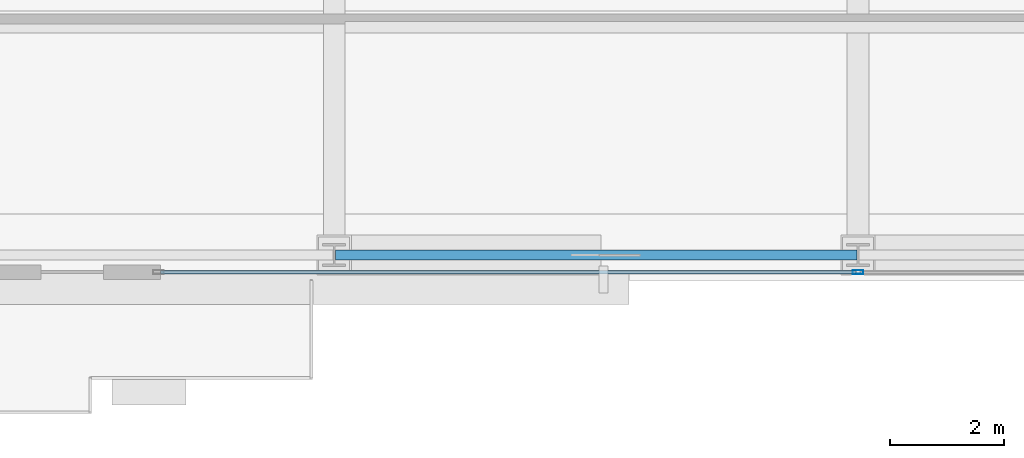
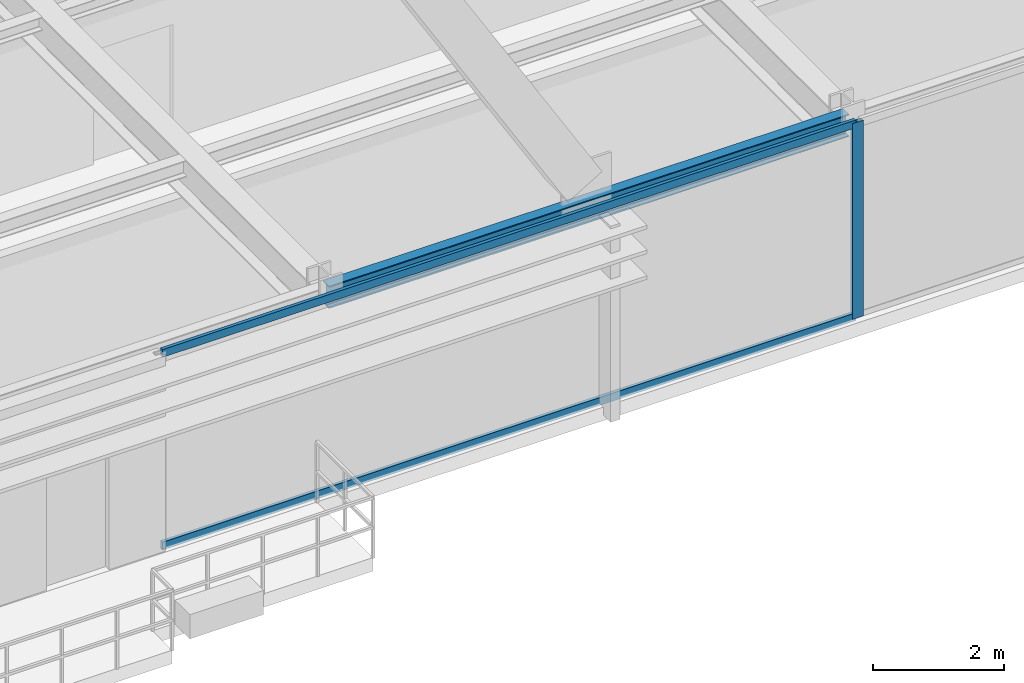
# One storey, part 6 of 34: 3 members, 1 beam, 1 element without a shape of its own.
"""IFC4 building model written with IfcOpenShell, lengths in metres."""

import ifcopenshell
import ifcopenshell.guid

model = None  # the IFC model being written
_history = None  # IfcOwnerHistory: only IFC2X3 demands one
_inside = {}  # id of a spatial element -> (the spatial element, [elements in it])
_under = {}  # id of a project, library or spatial element -> (it, [spatial elements below it])
_declared = {}  # id of a project -> (the project, [libraries it declares])
_typed = {}  # id of a type object -> (the type object, [elements of that type])
_made_of = {}  # id of a material, layer set ... -> (it, [elements and type objects made of it])


def new_model(schema):
    """Start an empty IFC model of exactly this schema.

    Asked for "IFC4X3", IfcOpenShell would pick the latest addendum, in which some entities
    have other attributes; the version numbers below select the first issue.
    IFC2X3 requires an IfcOwnerHistory on every rooted entity: one is made here for all.
    """
    global model, _history
    if schema == "IFC4X3":
        model = ifcopenshell.file(schema_version=(4, 3, 0, 0))
    else:
        model = ifcopenshell.file(schema=schema)
    _inside.clear()
    _under.clear()
    _declared.clear()
    _typed.clear()
    _made_of.clear()
    _history = None
    if model.schema == "IFC2X3":
        org = make("IfcOrganization", Name="unknown")
        user = make(
            "IfcPersonAndOrganization",
            ThePerson=make("IfcPerson", FamilyName="unknown"),
            TheOrganization=org,
        )
        app = make(
            "IfcApplication",
            ApplicationDeveloper=org,
            Version="unknown",
            ApplicationFullName="unknown",
            ApplicationIdentifier="unknown",
        )
        _history = make(
            "IfcOwnerHistory",
            OwningUser=user,
            OwningApplication=app,
            ChangeAction="ADDED",
            CreationDate=0,
        )
    return model


def make(cls, **values):
    """One entity of the class cls with the attributes given. An attribute that is None is left unset."""
    return model.create_entity(
        cls, **{name: value for name, value in values.items() if value is not None}
    )


def rooted(cls, **values):
    """An entity with a GlobalId (a new one), such as an element, a storey or a relation."""
    return make(cls, GlobalId=ifcopenshell.guid.new(), OwnerHistory=_history, **values)


def si_unit(unit_type, name, prefix=None):
    """IfcSIUnit, for example si_unit("LENGTHUNIT", "METRE", prefix="MILLI")."""
    return make("IfcSIUnit", UnitType=unit_type, Prefix=prefix, Name=name)


def assignment(units):
    """IfcUnitAssignment: the units of a project."""
    return None if units is None else make("IfcUnitAssignment", Units=units)


def point(xyz):
    """IfcCartesianPoint."""
    return None if xyz is None else make("IfcCartesianPoint", Coordinates=xyz)


def direction(xyz):
    """IfcDirection."""
    return None if xyz is None else make("IfcDirection", DirectionRatios=xyz)


def frame(location, z_axis=None, x_axis=None):
    """IfcAxis2Placement3D, a coordinate frame: its origin and axes. An axis left out is left unset."""
    return make(
        "IfcAxis2Placement3D",
        Location=point(location),
        Axis=direction(z_axis),
        RefDirection=direction(x_axis),
    )


def frame_2d(location, x_axis=None):
    """IfcAxis2Placement2D, a coordinate frame in the plane: its origin and x axis."""
    return make(
        "IfcAxis2Placement2D", Location=point(location), RefDirection=direction(x_axis)
    )


def origin():
    """The frame at (0, 0, 0) with its axes left unset."""
    return frame((0.0, 0.0, 0.0))


def origin_2d():
    """The frame at (0, 0) in the plane with its x axis left unset."""
    return frame_2d((0.0, 0.0))


def place(relative_to, where):
    """IfcLocalPlacement: puts the frame where relative to a parent placement (None: the world)."""
    return make(
        "IfcLocalPlacement", PlacementRelTo=relative_to, RelativePlacement=where
    )


def context(
    kind, dimensions, precision=None, world=None, true_north=None, identifier=None
):
    """IfcGeometricRepresentationContext, for example the 3D "Model" context."""
    return make(
        "IfcGeometricRepresentationContext",
        ContextIdentifier=identifier,
        ContextType=kind,
        CoordinateSpaceDimension=dimensions,
        Precision=precision,
        WorldCoordinateSystem=world,
        TrueNorth=true_north,
    )


def subcontext(parent, identifier, kind, view, scale=None):
    """IfcGeometricRepresentationSubContext, for example "Body" below "Model"."""
    return make(
        "IfcGeometricRepresentationSubContext",
        ContextIdentifier=identifier,
        ContextType=kind,
        ParentContext=parent,
        TargetScale=scale,
        TargetView=view,
    )


def project(units=None, contexts=None):
    """IfcProject with its units and contexts."""
    return rooted(
        "IfcProject",
        Name="project",
        RepresentationContexts=contexts,
        UnitsInContext=assignment(units),
    )


def spatial(cls, under=None, at=None, **own):
    """A site, building, storey or space (cls), placed at a placement, below another one or the project."""
    s = rooted(cls, ObjectPlacement=at, **own)
    if under is not None:
        _under.setdefault(under.id(), (under, []))[1].append(s)
    return s


def profile(cls, at=None, kind="AREA", **sizes):
    """A parametric profile (cls). Its sizes go by their IFC names, for example OverallWidth=200.0."""
    return make(cls, ProfileType=kind, Position=at, **sizes)


def hollow_rectangle(**sizes):
    """IfcRectangleHollowProfileDef."""
    return profile("IfcRectangleHollowProfileDef", **sizes)


def i_section(**sizes):
    """IfcIShapeProfileDef."""
    return profile("IfcIShapeProfileDef", **sizes)


def extrude(swept, where, along, depth):
    """IfcExtrudedAreaSolid: the profile swept, set in the frame where, extruded along a direction by depth."""
    return make(
        "IfcExtrudedAreaSolid",
        SweptArea=swept,
        Position=where,
        ExtrudedDirection=direction(along),
        Depth=depth,
    )


def shape(context_of_items, identifier, shape_type, items):
    """IfcShapeRepresentation: the items that make up one representation, for example the "Body"."""
    return make(
        "IfcShapeRepresentation",
        ContextOfItems=context_of_items,
        RepresentationIdentifier=identifier,
        RepresentationType=shape_type,
        Items=items,
    )


def source(mapping_origin, context_of_items, identifier, shape_type, items):
    """IfcRepresentationMap: a shape defined once, which mapped items show again and again."""
    return make(
        "IfcRepresentationMap",
        MappingOrigin=mapping_origin,
        MappedRepresentation=shape(context_of_items, identifier, shape_type, items),
    )


def transform(
    local_origin,
    x_axis=None,
    y_axis=None,
    z_axis=None,
    scale=None,
    scale2=None,
    scale3=None,
    uniform=True,
):
    """IfcCartesianTransformationOperator3D, or its non-uniform kind. x_axis, y_axis, z_axis: its Axis1, 2, 3."""
    if uniform:
        return make(
            "IfcCartesianTransformationOperator3D",
            Axis1=direction(x_axis),
            Axis2=direction(y_axis),
            LocalOrigin=point(local_origin),
            Scale=scale,
            Axis3=direction(z_axis),
        )
    return make(
        "IfcCartesianTransformationOperator3DnonUniform",
        Axis1=direction(x_axis),
        Axis2=direction(y_axis),
        LocalOrigin=point(local_origin),
        Scale=scale,
        Axis3=direction(z_axis),
        Scale2=scale2,
        Scale3=scale3,
    )


def mapped(mapping_source, mapping_target):
    """IfcMappedItem: shows the shape of a source again, moved by a transform."""
    return make(
        "IfcMappedItem", MappingSource=mapping_source, MappingTarget=mapping_target
    )


def material(Name=None, Category=None):
    """IfcMaterial."""
    return make("IfcMaterial", Name=Name, Category=Category)


def layer(
    of_material, thickness, ventilated=None, Name=None, Category=None, Priority=None
):
    """IfcMaterialLayer: one layer of a wall or slab, of a material (None: an air gap)."""
    return make(
        "IfcMaterialLayer",
        Material=of_material,
        LayerThickness=thickness,
        IsVentilated=ventilated,
        Name=Name,
        Category=Category,
        Priority=Priority,
    )


def layer_set(layers, Name=None):
    """IfcMaterialLayerSet."""
    return make("IfcMaterialLayerSet", MaterialLayers=layers, LayerSetName=Name)


def material_profile(
    of_material, cross_section, Name=None, Category=None, Priority=None
):
    """IfcMaterialProfile: a cross section and its material."""
    return make(
        "IfcMaterialProfile",
        Name=Name,
        Material=of_material,
        Profile=cross_section,
        Priority=Priority,
        Category=Category,
    )


def profile_set(profiles, Name=None, composite=None):
    """IfcMaterialProfileSet."""
    return make(
        "IfcMaterialProfileSet",
        Name=Name,
        MaterialProfiles=profiles,
        CompositeProfile=composite,
    )


def made_of(thing, what):
    """Note that an element or type object is made of a material, layer set ...; save() writes the relation."""
    if what is not None:
        _made_of.setdefault(what.id(), (what, []))[1].append(thing)
    return thing


def type_object(cls, material=None, **own):
    """A type object (cls), such as IfcWallType, which elements share."""
    return made_of(rooted(cls, **own), material)


def type_shapes(of_type, sources):
    """Give a type object the sources (RepresentationMaps) that its elements show as mapped items."""
    of_type.RepresentationMaps = sources


def element(
    cls,
    number,
    at=None,
    inside=None,
    cuts=None,
    type_object=None,
    material=None,
    context=None,
    identifier="Body",
    shape_type=None,
    held_by="IfcProductDefinitionShape",
    body=None,
    shapes=None,
    **own,
):
    """One element of the class cls, such as IfcWall. Its Tag is "e" and its number.

    at: its placement. inside: the storey or other place that contains it. cuts: it is an
    opening in that element (IfcRelVoidsElement). A single representation is given by context,
    identifier, shape_type and body (its items); several are given by shapes. held_by: the class
    of the entity that holds the representations. save() writes the other relations.
    """
    e = rooted(cls, Tag="e%d" % number, ObjectPlacement=at, **own)
    if body is not None:
        shapes = [shape(context, identifier, shape_type, body)]
    if shapes is not None:
        e.Representation = make(held_by, Representations=shapes)
    if inside is not None:
        _inside.setdefault(inside.id(), (inside, []))[1].append(e)
    if cuts is not None:
        rooted(
            "IfcRelVoidsElement", RelatingBuildingElement=cuts, RelatedOpeningElement=e
        )
    if type_object is not None:
        _typed.setdefault(type_object.id(), (type_object, []))[1].append(e)
    return made_of(e, material)


def aggregate(whole, parts):
    """IfcRelAggregates: a whole, such as a stair, and the parts it consists of."""
    return rooted("IfcRelAggregates", RelatingObject=whole, RelatedObjects=parts)


def save(model, path):
    """Write the relations noted so far, then the file.

    IfcRelAggregates (storeys below a building ...), IfcRelContainedInSpatialStructure (elements
    in a storey), IfcRelDefinesByType, IfcRelAssociatesMaterial and IfcRelDeclares: one each for
    every whole, place, type object, material and project.
    """
    for whole, parts in _under.values():
        aggregate(whole, parts)
    for where, things in _inside.values():
        rooted(
            "IfcRelContainedInSpatialStructure",
            RelatedElements=things,
            RelatingStructure=where,
        )
    for kind, things in _typed.values():
        rooted("IfcRelDefinesByType", RelatedObjects=things, RelatingType=kind)
    for what, things in _made_of.values():
        rooted("IfcRelAssociatesMaterial", RelatedObjects=things, RelatingMaterial=what)
    for by, libraries in _declared.values():
        rooted("IfcRelDeclares", RelatingContext=by, RelatedDefinitions=libraries)
    model.write(path)


model = new_model("IFC4")

# Units and contexts
model_context = context("Model", 3, precision=1e-05, world=origin(), true_north=direction((0.0, 1.0)))
body_context = subcontext(model_context, "Body", "Model", "MODEL_VIEW")
ifc_project = project(units=[si_unit("LENGTHUNIT", "METRE"), si_unit("AREAUNIT", "SQUARE_METRE"), si_unit("VOLUMEUNIT", "CUBIC_METRE"), si_unit("PLANEANGLEUNIT", "RADIAN"), si_unit("MASSUNIT", "GRAM", prefix="KILO")], contexts=[model_context])

# Site, building, storey
site_placement = place(None, origin())
site = spatial("IfcSite", under=ifc_project, at=site_placement, CompositionType="ELEMENT")
building_placement = place(site_placement, origin())
building = spatial("IfcBuilding", under=site, at=building_placement, Name="Varnel Quay Broadcast Tower", CompositionType="ELEMENT")
storey_placement = place(building_placement, frame((0.0, 0.0, 47.10009765625)))
storey = spatial("IfcBuildingStorey", under=building, at=storey_placement, Name="L10", CompositionType="ELEMENT", Elevation=47.10009765625)

# Beam
ifc_material_1 = material(Name="Structural Steel CSA G40.21 350W", Category="steel")
ifc_material_profile_1 = material_profile(ifc_material_1, i_section(OverallWidth=0.180908203125, OverallDepth=0.4169921875, WebThickness=0.010986328125, FlangeThickness=0.018310546875, FilletRadius=0.011962890625, at=origin_2d()), Name="W410X85")
ifc_profile_set_1 = profile_set([ifc_material_profile_1], Name="Structural Steel CSA G40.21 350W")
beam_type = type_object("IfcBeamType", Name="Beam_W410X85", PredefinedType="SPANDREL", material=ifc_profile_set_1)
shared_shape_1 = source(origin(), body_context, "Body", "SweptSolid", [
    extrude(i_section(OverallWidth=0.180908203125, OverallDepth=0.4169921875, WebThickness=0.010986328125, FlangeThickness=0.018310546875, FilletRadius=0.011962890625, at=origin_2d()), origin(), (0.0, 0.0, 1.0), 9.159912109375),
])
type_shapes(beam_type, [shared_shape_1])
beam_placement = place(storey_placement, frame((24.820068359375, 1.64990234375, 3.44140625), z_axis=(1.0, 0.0, 0.0), x_axis=(0.0, 1.0, 0.0)))
element("IfcBeam", 1, at=beam_placement, inside=storey, type_object=beam_type, Name="L10 South Spandrel TC-S2-TC-S3", PredefinedType="SPANDREL", context=body_context, shape_type="MappedRepresentation", body=[
    mapped(shared_shape_1, transform((0.0, 0.0, 0.0), x_axis=(1.0, 0.0, 0.0), y_axis=(0.0, 1.0, 0.0), z_axis=(0.0, 0.0, 1.0), scale=1.0)),
])

# Curtain wall, members
ifc_material_2 = material(Name="Anodised Bronze Aluminium 6063-T6", Category="aluminium")
ifc_layer = layer(ifc_material_2, 0.18994140625, Name="Anodised Bronze Aluminium 6063-T6")
ifc_layer_set = layer_set([ifc_layer], Name="Anodised Bronze Aluminium 6063-T6")
curtain_wall_type = type_object("IfcCurtainWallType", Name="CW_LowerTower", PredefinedType="NOTDEFINED", material=ifc_layer_set)
curtain_wall_placement = place(storey_placement, origin())
curtain_wall = element("IfcCurtainWall", 2, at=curtain_wall_placement, inside=storey, type_object=curtain_wall_type, Name="L10 South Unitised Curtain Wall 2", PredefinedType="NOTDEFINED")
ifc_material_profile_2 = material_profile(ifc_material_2, hollow_rectangle(XDim=0.070068359375, YDim=0.18994140625, WallThickness=0.00390625, at=origin_2d()), Name="ALU70X190X4")
ifc_profile_set_2 = profile_set([ifc_material_profile_2], Name="Anodised Bronze Aluminium 6063-T6")
member_type_1 = type_object("IfcMemberType", Name="Mull_CWS-02", PredefinedType="MULLION", material=ifc_profile_set_2)
shared_shape_2 = source(origin(), body_context, "Body", "SweptSolid", [
    extrude(hollow_rectangle(XDim=0.070068359375, YDim=0.18994140625, WallThickness=0.00390625, at=origin_2d()), origin(), (0.0, 0.0, 1.0), 3.64990234375),
])
type_shapes(member_type_1, [shared_shape_2])
member_1_placement = place(storey_placement, frame((34.0, 1.35009765625, 0.0), z_axis=(0.0, 0.0, 1.0), x_axis=(0.0, 1.0, 0.0)))
member_1 = element("IfcMember", 3, at=member_1_placement, type_object=member_type_1, Name="CWS-02 mullion 2", PredefinedType="MULLION", context=body_context, shape_type="MappedRepresentation", body=[
    mapped(shared_shape_2, transform((0.0, 0.0, 0.0), x_axis=(1.0, 0.0, 0.0), y_axis=(0.0, 1.0, 0.0), z_axis=(0.0, 0.0, 1.0), scale=1.0)),
])
ifc_material_profile_3 = material_profile(ifc_material_2, hollow_rectangle(XDim=0.06005859375, YDim=0.14501953125, WallThickness=0.00341796875, at=origin_2d()), Name="ALU60X145X3.5")
ifc_profile_set_3 = profile_set([ifc_material_profile_3], Name="Anodised Bronze Aluminium 6063-T6")
member_type_2 = type_object("IfcMemberType", Name="Tran_CWS-02", PredefinedType="USERDEFINED", material=ifc_profile_set_3)
shared_shape_3 = source(origin(), body_context, "Body", "SweptSolid", [
    extrude(hollow_rectangle(XDim=0.06005859375, YDim=0.14501953125, WallThickness=0.00341796875, at=origin_2d()), origin(), (0.0, 0.0, 1.0), 12.215087890625),
])
type_shapes(member_type_2, [shared_shape_3])
member_2_placement = place(storey_placement, frame((21.75, 1.35009765625, 0.02978515625), z_axis=(1.0, 0.0, 0.0), x_axis=(0.0, 1.0, 0.0)))
member_2 = element("IfcMember", 4, at=member_2_placement, type_object=member_type_2, Name="CWS-02 transom 1.1", ObjectType="TRANSOM", PredefinedType="USERDEFINED", context=body_context, shape_type="MappedRepresentation", body=[
    mapped(shared_shape_3, transform((0.0, 0.0, 0.0), x_axis=(1.0, 0.0, 0.0), y_axis=(0.0, 1.0, 0.0), z_axis=(0.0, 0.0, 1.0), scale=1.0)),
])
member_3_placement = place(storey_placement, frame((21.75, 1.35009765625, 3.619873046875), z_axis=(1.0, 0.0, 0.0), x_axis=(0.0, 1.0, 0.0)))
member_3 = element("IfcMember", 5, at=member_3_placement, type_object=member_type_2, Name="CWS-02 transom 1.2", ObjectType="TRANSOM", PredefinedType="USERDEFINED", context=body_context, shape_type="MappedRepresentation", body=[
    mapped(shared_shape_3, transform((0.0, 0.0, 0.0), x_axis=(1.0, 0.0, 0.0), y_axis=(0.0, 1.0, 0.0), z_axis=(0.0, 0.0, 1.0), scale=1.0)),
])
aggregate(curtain_wall, [member_1, member_2, member_3])

save(model, "model.ifc")
